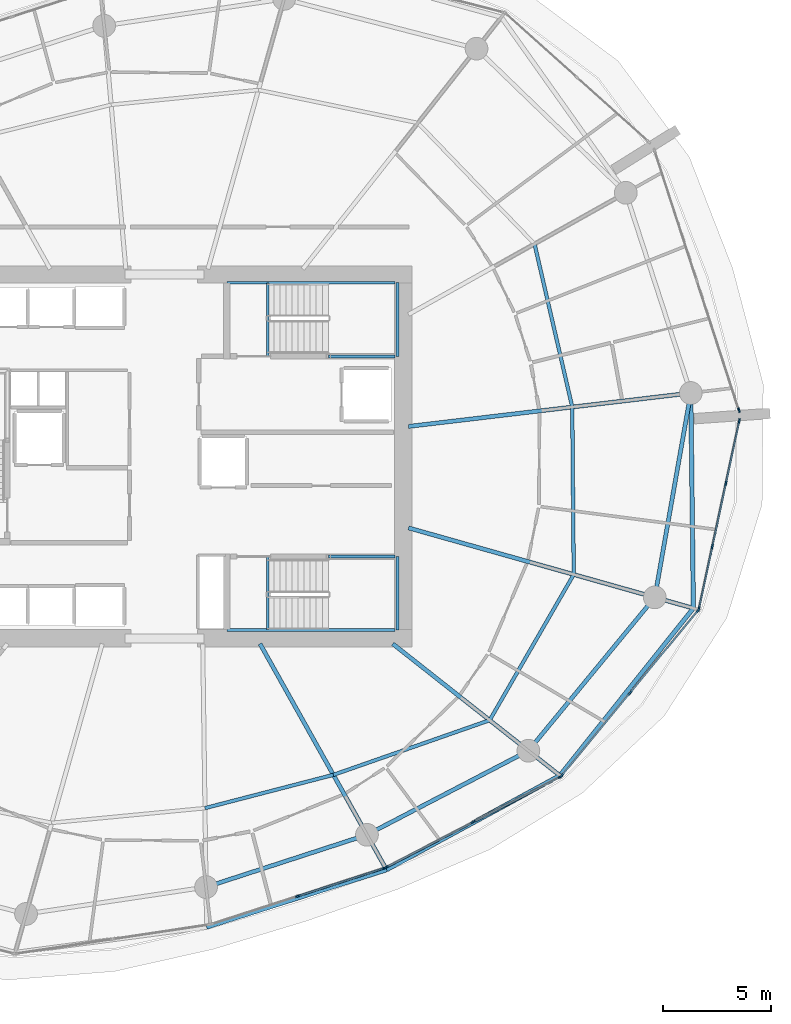
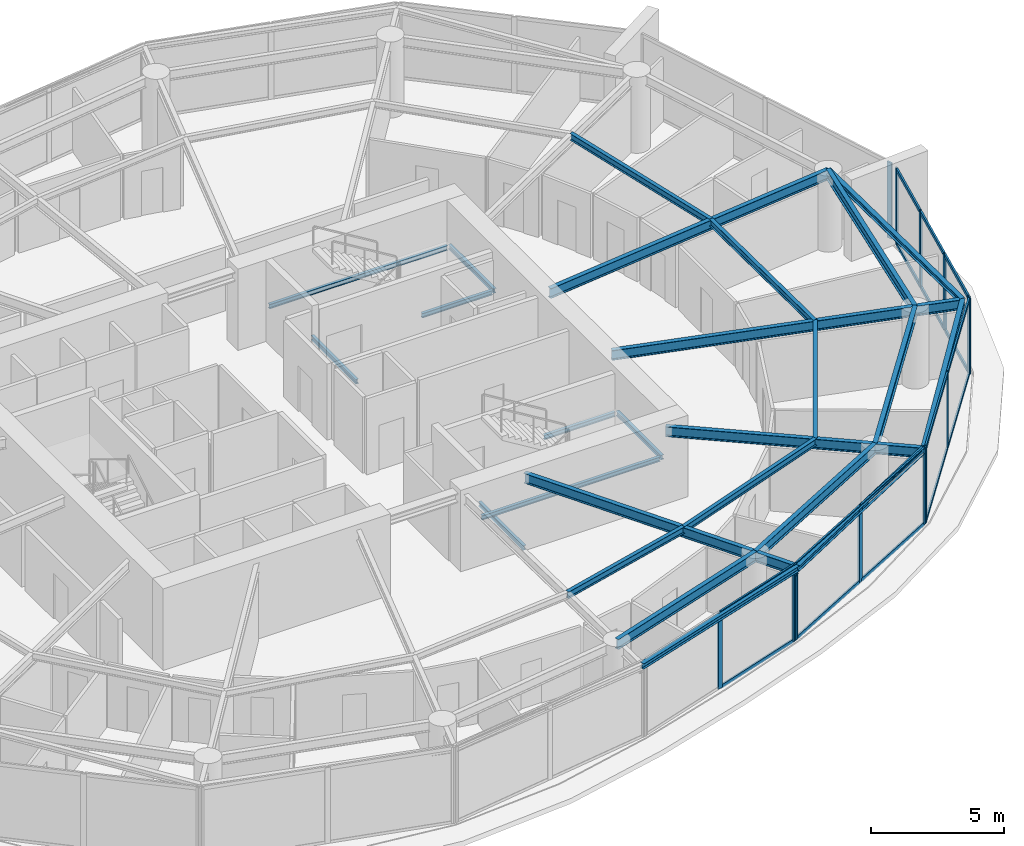
# One storey, part 7 of 17: 29 members, 25 beams, 5 elements without a shape of their own.
"""IFC4 building model written with IfcOpenShell, lengths in metres."""

from ifc_helpers import new_model, si_unit, direction, frame, origin, origin_2d, place, context, subcontext, project, spatial, rectangle, i_section, extrude, material, layer, layer_set, material_profile, profile_set, type_object, element, aggregate, save


model = new_model("IFC4")

# Units and contexts
model_context = context("Model", 3, precision=1e-05, world=origin(), true_north=direction((0.0, 1.0)))
body_context = subcontext(model_context, "Body", "Model", "MODEL_VIEW")
ifc_project = project(units=[si_unit("LENGTHUNIT", "METRE"), si_unit("AREAUNIT", "SQUARE_METRE"), si_unit("VOLUMEUNIT", "CUBIC_METRE"), si_unit("PLANEANGLEUNIT", "RADIAN"), si_unit("MASSUNIT", "GRAM", prefix="KILO")], contexts=[model_context])

# Site, building, storey
site_placement = place(None, origin())
site = spatial("IfcSite", under=ifc_project, at=site_placement, CompositionType="ELEMENT")
building_placement = place(site_placement, origin())
building = spatial("IfcBuilding", under=site, at=building_placement, Name="Kazma Halo Residences", CompositionType="ELEMENT")
storey_placement = place(building_placement, frame((0.0, 0.0, 127.800048828125)))
storey = spatial("IfcBuildingStorey", under=building, at=storey_placement, Name="L31", CompositionType="ELEMENT", Elevation=127.800048828125)

# Beams
ifc_material_1 = material(Name="Steel S355", Category="steel")
ifc_material_profile_1 = material_profile(ifc_material_1, i_section(OverallWidth=0.201904296875, OverallDepth=0.2470703125, WebThickness=0.00732421875, FlangeThickness=0.010986328125, FilletRadius=0.011962890625, at=origin_2d()), Name="W250x49.1")
ifc_profile_set_1 = profile_set([ifc_material_profile_1], Name="Steel S355")
beam_type_1 = type_object("IfcBeamType", Name="BM-BAL-CANT", PredefinedType="BEAM", material=ifc_profile_set_1)
beam_1_placement = place(storey_placement, frame((50.37841796875, 20.269287109375, 3.37646484375), z_axis=(0.952724066304, 0.303836886315, 0.0), x_axis=(-0.303836886315, 0.952724066304, 0.0)))
element("IfcBeam", 1, at=beam_1_placement, inside=storey, type_object=beam_type_1, Name="L31 wave-balcony tie beam 12", PredefinedType="BEAM", context=body_context, shape_type="SweptSolid", body=[
    extrude(i_section(OverallWidth=0.201904296875, OverallDepth=0.2470703125, WebThickness=0.00732421875, FlangeThickness=0.010986328125, FilletRadius=0.011962890625, at=origin_2d()), origin(), (0.0, 0.0, 1.0), 8.719970703125),
])
beam_2_placement = place(storey_placement, frame((58.68603515625, 22.918701171875, 3.37646484375), z_axis=(0.878572913315, 0.477608245312, 0.0), x_axis=(-0.477608245312, 0.878572913315, 0.0)))
element("IfcBeam", 2, at=beam_2_placement, inside=storey, type_object=beam_type_1, Name="L31 wave-balcony tie beam 13", PredefinedType="BEAM", context=body_context, shape_type="SweptSolid", body=[
    extrude(i_section(OverallWidth=0.201904296875, OverallDepth=0.2470703125, WebThickness=0.00732421875, FlangeThickness=0.010986328125, FilletRadius=0.011962890625, at=origin_2d()), origin(), (0.0, 0.0, 1.0), 9.107177734375),
])
beam_3_placement = place(storey_placement, frame((66.687255859375, 27.268310546875, 3.37646484375), z_axis=(0.623742400336, 0.781629975131, 0.0), x_axis=(-0.781629975131, 0.623742400336, 0.0)))
element("IfcBeam", 3, at=beam_3_placement, inside=storey, type_object=beam_type_1, Name="L31 wave-balcony tie beam 14", PredefinedType="BEAM", context=body_context, shape_type="SweptSolid", body=[
    extrude(i_section(OverallWidth=0.201904296875, OverallDepth=0.2470703125, WebThickness=0.00732421875, FlangeThickness=0.010986328125, FilletRadius=0.011962890625, at=origin_2d()), origin(), (0.0, 0.0, 1.0), 9.880859375),
])
beam_4_placement = place(storey_placement, frame((72.850341796875, 34.991455078125, 3.37646484375), z_axis=(-0.011793371143, 0.99993045578, 0.0), x_axis=(-0.99993045578, -0.011793371143, 0.0)))
element("IfcBeam", 4, at=beam_4_placement, inside=storey, type_object=beam_type_1, Name="L31 wave-balcony tie beam 15", PredefinedType="BEAM", context=body_context, shape_type="SweptSolid", body=[
    extrude(i_section(OverallWidth=0.201904296875, OverallDepth=0.2470703125, WebThickness=0.00732421875, FlangeThickness=0.010986328125, FilletRadius=0.011962890625, at=origin_2d()), origin(), (0.0, 0.0, 1.0), 9.936767578125),
])
ifc_material_profile_2 = material_profile(ifc_material_1, i_section(OverallWidth=0.18994140625, OverallDepth=0.45703125, WebThickness=0.009033203125, FlangeThickness=0.014404296875, FilletRadius=0.01611328125, at=origin_2d()), Name="W460x74")
ifc_profile_set_2 = profile_set([ifc_material_profile_2], Name="Steel S355")
beam_type_2 = type_object("IfcBeamType", Name="BM-RAD-W460", PredefinedType="BEAM", material=ifc_profile_set_2)
beam_5_placement = place(storey_placement, frame((52.84423828125, 33.35009765625, 3.271484375), z_axis=(0.488617048735, -0.872498355119, 0.0), x_axis=(0.872498355119, 0.488617048735, 0.0)))
element("IfcBeam", 5, at=beam_5_placement, inside=storey, type_object=beam_type_2, Name="L31 radial floor beam 13", PredefinedType="BEAM", context=body_context, shape_type="SweptSolid", body=[
    extrude(i_section(OverallWidth=0.18994140625, OverallDepth=0.45703125, WebThickness=0.009033203125, FlangeThickness=0.014404296875, FilletRadius=0.01611328125, at=origin_2d()), origin(), (0.0, 0.0, 1.0), 11.955810546875),
])
beam_6_placement = place(storey_placement, frame((58.972412109375, 33.35009765625, 3.271484375), z_axis=(0.785322142498, -0.619087338347, 0.0), x_axis=(0.619087338347, 0.785322142498, 0.0)))
element("IfcBeam", 6, at=beam_6_placement, inside=storey, type_object=beam_type_2, Name="L31 radial floor beam 14", PredefinedType="BEAM", context=body_context, shape_type="SweptSolid", body=[
    extrude(i_section(OverallWidth=0.18994140625, OverallDepth=0.45703125, WebThickness=0.009033203125, FlangeThickness=0.014404296875, FilletRadius=0.01611328125, at=origin_2d()), origin(), (0.0, 0.0, 1.0), 9.82373046875),
])
beam_7_placement = place(storey_placement, frame((59.699951171875, 38.7001953125, 3.271484375), z_axis=(0.962456259321, -0.271436823024, 0.0), x_axis=(0.271436823024, 0.962456259321, 0.0)))
element("IfcBeam", 7, at=beam_7_placement, inside=storey, type_object=beam_type_2, Name="L31 radial floor beam 15", PredefinedType="BEAM", context=body_context, shape_type="SweptSolid", body=[
    extrude(i_section(OverallWidth=0.18994140625, OverallDepth=0.45703125, WebThickness=0.009033203125, FlangeThickness=0.014404296875, FilletRadius=0.01611328125, at=origin_2d()), origin(), (0.0, 0.0, 1.0), 13.663330078125),
])
beam_8_placement = place(storey_placement, frame((59.699951171875, 43.384765625, 3.271484375), z_axis=(0.993067181848, 0.117548170278, 0.0), x_axis=(-0.117548170278, 0.993067181848, 0.0)))
element("IfcBeam", 8, at=beam_8_placement, inside=storey, type_object=beam_type_2, Name="L31 radial floor beam 16", PredefinedType="BEAM", context=body_context, shape_type="SweptSolid", body=[
    extrude(i_section(OverallWidth=0.18994140625, OverallDepth=0.45703125, WebThickness=0.009033203125, FlangeThickness=0.014404296875, FilletRadius=0.01611328125, at=origin_2d()), origin(), (0.0, 0.0, 1.0), 13.124267578125),
])
ifc_material_profile_3 = material_profile(ifc_material_1, i_section(OverallWidth=0.1650390625, OverallDepth=0.31005859375, WebThickness=0.005859375, FlangeThickness=0.009765625, FilletRadius=0.011962890625, at=origin_2d()), Name="W310x38.7")
ifc_profile_set_3 = profile_set([ifc_material_profile_3], Name="Steel S355")
beam_type_3 = type_object("IfcBeamType", Name="BM-SEC-W310B", PredefinedType="JOIST", material=ifc_profile_set_3)
beam_9_placement = place(storey_placement, frame((50.303466796875, 25.76318359375, 3.344970703125), z_axis=(0.968017337658, 0.250883307524, 0.0), x_axis=(-0.250883307524, 0.968017337658, 0.0)))
element("IfcBeam", 9, at=beam_9_placement, inside=storey, type_object=beam_type_3, Name="L31 circumferential floor joist 12", PredefinedType="JOIST", context=body_context, shape_type="SweptSolid", body=[
    extrude(i_section(OverallWidth=0.1650390625, OverallDepth=0.31005859375, WebThickness=0.005859375, FlangeThickness=0.009765625, FilletRadius=0.011962890625, at=origin_2d()), origin(), (0.0, 0.0, 1.0), 6.124755859375),
])
beam_10_placement = place(storey_placement, frame((56.232421875, 27.2998046875, 3.344970703125), z_axis=(0.943956421223, 0.330070105935, 0.0), x_axis=(-0.330070105935, 0.943956421223, 0.0)))
element("IfcBeam", 10, at=beam_10_placement, inside=storey, type_object=beam_type_3, Name="L31 circumferential floor joist 13", PredefinedType="JOIST", context=body_context, shape_type="SweptSolid", body=[
    extrude(i_section(OverallWidth=0.1650390625, OverallDepth=0.31005859375, WebThickness=0.005859375, FlangeThickness=0.009765625, FilletRadius=0.011962890625, at=origin_2d()), origin(), (0.0, 0.0, 1.0), 7.642822265625),
])
beam_11_placement = place(storey_placement, frame((63.447021484375, 29.822509765625, 3.344970703125), z_axis=(0.499666203496, 0.866218035533, 0.0), x_axis=(-0.866218035533, 0.499666203496, 0.0)))
element("IfcBeam", 11, at=beam_11_placement, inside=storey, type_object=beam_type_3, Name="L31 circumferential floor joist 14", PredefinedType="JOIST", context=body_context, shape_type="SweptSolid", body=[
    extrude(i_section(OverallWidth=0.1650390625, OverallDepth=0.31005859375, WebThickness=0.005859375, FlangeThickness=0.009765625, FilletRadius=0.011962890625, at=origin_2d()), origin(), (0.0, 0.0, 1.0), 7.765380859375),
])
beam_12_placement = place(storey_placement, frame((67.3271484375, 36.549072265625, 3.344970703125), z_axis=(-0.008779348348, 0.999961460779, 0.0), x_axis=(-0.999961460779, -0.008779348348, 0.0)))
element("IfcBeam", 12, at=beam_12_placement, inside=storey, type_object=beam_type_3, Name="L31 circumferential floor joist 15", PredefinedType="JOIST", context=body_context, shape_type="SweptSolid", body=[
    extrude(i_section(OverallWidth=0.1650390625, OverallDepth=0.31005859375, WebThickness=0.005859375, FlangeThickness=0.009765625, FilletRadius=0.011962890625, at=origin_2d()), origin(), (0.0, 0.0, 1.0), 7.730712890625),
])
beam_13_placement = place(storey_placement, frame((67.25927734375, 44.279541015625, 3.344970703125), z_axis=(-0.225330067077, 0.97428248515, 0.0), x_axis=(-0.97428248515, -0.225330067077, 0.0)))
element("IfcBeam", 13, at=beam_13_placement, inside=storey, type_object=beam_type_3, Name="L31 circumferential floor joist 16", PredefinedType="JOIST", context=body_context, shape_type="SweptSolid", body=[
    extrude(i_section(OverallWidth=0.1650390625, OverallDepth=0.31005859375, WebThickness=0.005859375, FlangeThickness=0.009765625, FilletRadius=0.011962890625, at=origin_2d()), origin(), (0.0, 0.0, 1.0), 7.7294921875),
])
ifc_material_profile_4 = material_profile(ifc_material_1, i_section(OverallWidth=0.18994140625, OverallDepth=0.45703125, WebThickness=0.009033203125, FlangeThickness=0.014404296875, FilletRadius=0.01611328125, at=origin_2d()), Name="W460x74")
ifc_profile_set_4 = profile_set([ifc_material_profile_4], Name="Steel S355")
beam_type_4 = type_object("IfcBeamType", Name="BM-SPN-W460", PredefinedType="BEAM", material=ifc_profile_set_4)
beam_14_placement = place(storey_placement, frame((50.35302734375, 22.118896484375, 3.271484375), z_axis=(0.95105634578, 0.309017519167, 0.0), x_axis=(-0.309017519167, 0.95105634578, 0.0)))
element("IfcBeam", 14, at=beam_14_placement, inside=storey, type_object=beam_type_4, Name="L31 perimeter ring beam 12", PredefinedType="BEAM", context=body_context, shape_type="SweptSolid", body=[
    extrude(i_section(OverallWidth=0.18994140625, OverallDepth=0.45703125, WebThickness=0.009033203125, FlangeThickness=0.014404296875, FilletRadius=0.01611328125, at=origin_2d()), origin(), (0.0, 0.0, 1.0), 7.811279296875),
])
beam_15_placement = place(storey_placement, frame((57.781982421875, 24.53271484375, 3.271484375), z_axis=(0.886943099021, 0.461878706046, 0.0), x_axis=(-0.461878706046, 0.886943099021, 0.0)))
element("IfcBeam", 15, at=beam_15_placement, inside=storey, type_object=beam_type_4, Name="L31 perimeter ring beam 13", PredefinedType="BEAM", context=body_context, shape_type="SweptSolid", body=[
    extrude(i_section(OverallWidth=0.18994140625, OverallDepth=0.45703125, WebThickness=0.009033203125, FlangeThickness=0.014404296875, FilletRadius=0.01611328125, at=origin_2d()), origin(), (0.0, 0.0, 1.0), 8.40234375),
])
beam_16_placement = place(storey_placement, frame((65.234375, 28.41357421875, 3.271484375), z_axis=(0.636018723515, 0.771673624882, 0.0), x_axis=(-0.771673624882, 0.636018723515, 0.0)))
element("IfcBeam", 16, at=beam_16_placement, inside=storey, type_object=beam_type_4, Name="L31 perimeter ring beam 14", PredefinedType="BEAM", context=body_context, shape_type="SweptSolid", body=[
    extrude(i_section(OverallWidth=0.18994140625, OverallDepth=0.45703125, WebThickness=0.009033203125, FlangeThickness=0.014404296875, FilletRadius=0.01611328125, at=origin_2d()), origin(), (0.0, 0.0, 1.0), 9.175048828125),
])
beam_17_placement = place(storey_placement, frame((71.06982421875, 35.49365234375, 3.271484375), z_axis=(0.173637033425, 0.984809717978, 0.0), x_axis=(-0.984809717978, 0.173637033425, 0.0)))
element("IfcBeam", 17, at=beam_17_placement, inside=storey, type_object=beam_type_4, Name="L31 perimeter ring beam 15", PredefinedType="BEAM", context=body_context, shape_type="SweptSolid", body=[
    extrude(i_section(OverallWidth=0.18994140625, OverallDepth=0.45703125, WebThickness=0.009033203125, FlangeThickness=0.014404296875, FilletRadius=0.01611328125, at=origin_2d()), origin(), (0.0, 0.0, 1.0), 9.579345703125),
])
ifc_material_profile_5 = material_profile(ifc_material_1, i_section(OverallWidth=0.133056640625, OverallDepth=0.20703125, WebThickness=0.005859375, FlangeThickness=0.00830078125, FilletRadius=0.010009765625, at=origin_2d()), Name="W200x26.6")
ifc_profile_set_5 = profile_set([ifc_material_profile_5], Name="Steel S355")
beam_type_5 = type_object("IfcBeamType", Name="BM-TRIM-W200", PredefinedType="BEAM", material=ifc_profile_set_5)
for number, where, z_axis, x_axis, name in (
    (18, (53.199951171875, 46.6201171875, -0.510009765625), (0.0, 1.0, 0.0), (-1.0, 0.0, 0.0), "L31 ST-02 floor landing support beam"),
    (19, (53.199951171875, 34.0, -0.510009765625), (0.0, 1.0, 0.0), (-1.0, 0.0, 0.0), "L31 ST-03 floor landing support beam"),
):
    element("IfcBeam", number, at=place(storey_placement, frame(where, z_axis=z_axis, x_axis=x_axis)), inside=storey, type_object=beam_type_5, Name=name, PredefinedType="BEAM", context=body_context, shape_type="SweptSolid", body=[
        extrude(i_section(OverallWidth=0.133056640625, OverallDepth=0.20703125, WebThickness=0.005859375, FlangeThickness=0.00830078125, FilletRadius=0.010009765625, at=origin_2d()), origin(), (0.0, 0.0, 1.0), 3.3798828125),
    ])
beam_18_placement = place(storey_placement, frame((51.31005859375, 50.02001953125, 1.570068359375), z_axis=(1.0, 0.0, 0.0), x_axis=(0.0, 1.0, 0.0)))
element("IfcBeam", 20, at=beam_18_placement, inside=storey, type_object=beam_type_5, Name="L31 ST-02 landing north wall ledger", PredefinedType="BEAM", context=body_context, shape_type="SweptSolid", body=[
    extrude(i_section(OverallWidth=0.133056640625, OverallDepth=0.20703125, WebThickness=0.005859375, FlangeThickness=0.00830078125, FilletRadius=0.010009765625, at=origin_2d()), origin(), (0.0, 0.0, 1.0), 7.760009765625),
])
beam_19_placement = place(storey_placement, frame((56.0, 46.6201171875, 1.570068359375), z_axis=(1.0, 0.0, 0.0), x_axis=(0.0, 1.0, 0.0)))
element("IfcBeam", 21, at=beam_19_placement, inside=storey, type_object=beam_type_5, Name="L31 ST-02 landing south wall ledger", PredefinedType="BEAM", context=body_context, shape_type="SweptSolid", body=[
    extrude(i_section(OverallWidth=0.133056640625, OverallDepth=0.20703125, WebThickness=0.005859375, FlangeThickness=0.00830078125, FilletRadius=0.010009765625, at=origin_2d()), origin(), (0.0, 0.0, 1.0), 3.070068359375),
])
beam_20_placement = place(storey_placement, frame((59.18994140625, 46.6201171875, 1.570068359375), z_axis=(0.0, 1.0, 0.0), x_axis=(-1.0, 0.0, 0.0)))
element("IfcBeam", 22, at=beam_20_placement, inside=storey, type_object=beam_type_5, Name="L31 ST-02 landing end wall ledger", PredefinedType="BEAM", context=body_context, shape_type="SweptSolid", body=[
    extrude(i_section(OverallWidth=0.133056640625, OverallDepth=0.20703125, WebThickness=0.005859375, FlangeThickness=0.00830078125, FilletRadius=0.010009765625, at=origin_2d()), origin(), (0.0, 0.0, 1.0), 3.39990234375),
])
beam_21_placement = place(storey_placement, frame((51.31005859375, 33.97998046875, 1.570068359375), z_axis=(1.0, 0.0, 0.0), x_axis=(0.0, 1.0, 0.0)))
element("IfcBeam", 23, at=beam_21_placement, inside=storey, type_object=beam_type_5, Name="L31 ST-03 landing south wall ledger", PredefinedType="BEAM", context=body_context, shape_type="SweptSolid", body=[
    extrude(i_section(OverallWidth=0.133056640625, OverallDepth=0.20703125, WebThickness=0.005859375, FlangeThickness=0.00830078125, FilletRadius=0.010009765625, at=origin_2d()), origin(), (0.0, 0.0, 1.0), 7.760009765625),
])
beam_22_placement = place(storey_placement, frame((56.0, 37.3798828125, 1.570068359375), z_axis=(1.0, 0.0, 0.0), x_axis=(0.0, 1.0, 0.0)))
element("IfcBeam", 24, at=beam_22_placement, inside=storey, type_object=beam_type_5, Name="L31 ST-03 landing north wall ledger", PredefinedType="BEAM", context=body_context, shape_type="SweptSolid", body=[
    extrude(i_section(OverallWidth=0.133056640625, OverallDepth=0.20703125, WebThickness=0.005859375, FlangeThickness=0.00830078125, FilletRadius=0.010009765625, at=origin_2d()), origin(), (0.0, 0.0, 1.0), 3.070068359375),
])
beam_23_placement = place(storey_placement, frame((59.18994140625, 33.97998046875, 1.570068359375), z_axis=(0.0, 1.0, 0.0), x_axis=(-1.0, 0.0, 0.0)))
element("IfcBeam", 25, at=beam_23_placement, inside=storey, type_object=beam_type_5, Name="L31 ST-03 landing end wall ledger", PredefinedType="BEAM", context=body_context, shape_type="SweptSolid", body=[
    extrude(i_section(OverallWidth=0.133056640625, OverallDepth=0.20703125, WebThickness=0.005859375, FlangeThickness=0.00830078125, FilletRadius=0.010009765625, at=origin_2d()), origin(), (0.0, 0.0, 1.0), 3.39990234375),
])

# Curtain wall, members
ifc_material_2 = material(Name="Aluminium AW-6063 T6 and Triple-Silver Low-E Glass", Category="aluminium")
ifc_layer = layer(ifc_material_2, 0.219970703125)
ifc_layer_set = layer_set([ifc_layer], Name="Aluminium AW-6063 T6 and Triple-Silver Low-E Glass")
curtain_wall_type = type_object("IfcCurtainWallType", Name="CW-SYS-4", PredefinedType="NOTDEFINED", material=ifc_layer_set)
curtain_wall_1_placement = place(storey_placement, origin())
curtain_wall_1 = element("IfcCurtainWall", 26, at=curtain_wall_1_placement, inside=storey, type_object=curtain_wall_type, Name="L31 unitised curtain wall B12", PredefinedType="NOTDEFINED")
ifc_material_3 = material(Name="Aluminium AW-6063 T6", Category="aluminium")
ifc_material_profile_6 = material_profile(ifc_material_3, rectangle(XDim=0.074951171875, YDim=0.219970703125, at=origin_2d()), Name="CWM-75x220")
ifc_profile_set_6 = profile_set([ifc_material_profile_6], Name="Aluminium AW-6063 T6")
member_type_1 = type_object("IfcMemberType", Name="CW-SYS-4-MUL", PredefinedType="MULLION", material=ifc_profile_set_6)
member_1_placement = place(storey_placement, frame((54.594970703125, 21.703125, 0.0), z_axis=(0.0, 0.0, 1.0), x_axis=(-0.309017358807, 0.951056397884, 0.0)))
member_1 = element("IfcMember", 27, at=member_1_placement, type_object=member_type_1, Name="CWS-4 mullion 2", PredefinedType="MULLION", context=body_context, shape_type="SweptSolid", body=[
    extrude(rectangle(XDim=0.074951171875, YDim=0.219970703125, at=origin_2d()), origin(), (0.0, 0.0, 1.0), 3.5),
])
member_2_placement = place(storey_placement, frame((58.596435546875, 23.00341796875, 0.0), z_axis=(0.0, 0.0, 1.0), x_axis=(-0.309017358807, 0.951056397884, 0.0)))
member_2 = element("IfcMember", 28, at=member_2_placement, type_object=member_type_1, Name="CWS-4 mullion 3", PredefinedType="MULLION", context=body_context, shape_type="SweptSolid", body=[
    extrude(rectangle(XDim=0.074951171875, YDim=0.219970703125, at=origin_2d()), origin(), (0.0, 0.0, 1.0), 3.5),
])

curtain_wall_2_placement = place(storey_placement, origin())
curtain_wall_2 = element("IfcCurtainWall", 29, at=curtain_wall_2_placement, inside=storey, type_object=curtain_wall_type, Name="L31 unitised curtain wall B13", PredefinedType="NOTDEFINED")
member_3_placement = place(storey_placement, frame((58.66552734375, 23.0322265625, 0.0), z_axis=(0.0, 0.0, 1.0), x_axis=(-0.460837484552, 0.887484542306, 0.0)))
member_3 = element("IfcMember", 30, at=member_3_placement, type_object=member_type_1, Name="CWS-4 mullion 1", PredefinedType="MULLION", context=body_context, shape_type="SweptSolid", body=[
    extrude(rectangle(XDim=0.074951171875, YDim=0.219970703125, at=origin_2d()), origin(), (0.0, 0.0, 1.0), 3.5),
])
member_4_placement = place(storey_placement, frame((62.686767578125, 25.120361328125, 0.0), z_axis=(0.0, 0.0, 1.0), x_axis=(-0.460837484552, 0.887484542306, 0.0)))
member_4 = element("IfcMember", 31, at=member_4_placement, type_object=member_type_1, Name="CWS-4 mullion 2", PredefinedType="MULLION", context=body_context, shape_type="SweptSolid", body=[
    extrude(rectangle(XDim=0.074951171875, YDim=0.219970703125, at=origin_2d()), origin(), (0.0, 0.0, 1.0), 3.5),
])
member_5_placement = place(storey_placement, frame((66.7080078125, 27.208251953125, 0.0), z_axis=(0.0, 0.0, 1.0), x_axis=(-0.460837484552, 0.887484542306, 0.0)))
member_5 = element("IfcMember", 32, at=member_5_placement, type_object=member_type_1, Name="CWS-4 mullion 3", PredefinedType="MULLION", context=body_context, shape_type="SweptSolid", body=[
    extrude(rectangle(XDim=0.074951171875, YDim=0.219970703125, at=origin_2d()), origin(), (0.0, 0.0, 1.0), 3.5),
])

curtain_wall_3_placement = place(storey_placement, origin())
curtain_wall_3 = element("IfcCurtainWall", 33, at=curtain_wall_3_placement, inside=storey, type_object=curtain_wall_type, Name="L31 unitised curtain wall B14", PredefinedType="NOTDEFINED")
member_6_placement = place(storey_placement, frame((66.76513671875, 27.25439453125, 0.0), z_axis=(0.0, 0.0, 1.0), x_axis=(-0.771037030672, 0.636790308761, 0.0)))
member_6 = element("IfcMember", 34, at=member_6_placement, type_object=member_type_1, Name="CWS-4 mullion 1", PredefinedType="MULLION", context=body_context, shape_type="SweptSolid", body=[
    extrude(rectangle(XDim=0.074951171875, YDim=0.219970703125, at=origin_2d()), origin(), (0.0, 0.0, 1.0), 3.5),
])
member_7_placement = place(storey_placement, frame((69.919189453125, 31.07373046875, 0.0), z_axis=(0.0, 0.0, 1.0), x_axis=(-0.771037030672, 0.636790308761, 0.0)))
member_7 = element("IfcMember", 35, at=member_7_placement, type_object=member_type_1, Name="CWS-4 mullion 2", PredefinedType="MULLION", context=body_context, shape_type="SweptSolid", body=[
    extrude(rectangle(XDim=0.074951171875, YDim=0.219970703125, at=origin_2d()), origin(), (0.0, 0.0, 1.0), 3.5),
])
member_8_placement = place(storey_placement, frame((73.073486328125, 34.892822265625, 0.0), z_axis=(0.0, 0.0, 1.0), x_axis=(-0.771037030672, 0.636790308761, 0.0)))
member_8 = element("IfcMember", 36, at=member_8_placement, type_object=member_type_1, Name="CWS-4 mullion 3", PredefinedType="MULLION", context=body_context, shape_type="SweptSolid", body=[
    extrude(rectangle(XDim=0.074951171875, YDim=0.219970703125, at=origin_2d()), origin(), (0.0, 0.0, 1.0), 3.5),
])

curtain_wall_4_placement = place(storey_placement, origin())
curtain_wall_4 = element("IfcCurtainWall", 37, at=curtain_wall_4_placement, inside=storey, type_object=curtain_wall_type, Name="L31 unitised curtain wall B15", PredefinedType="NOTDEFINED")
member_9_placement = place(storey_placement, frame((73.105224609375, 34.95849609375, 0.0), z_axis=(0.0, 0.0, 1.0), x_axis=(-0.977764957684, 0.209703809037, 0.0)))
member_9 = element("IfcMember", 38, at=member_9_placement, type_object=member_type_1, Name="CWS-4 mullion 1", PredefinedType="MULLION", context=body_context, shape_type="SweptSolid", body=[
    extrude(rectangle(XDim=0.074951171875, YDim=0.219970703125, at=origin_2d()), origin(), (0.0, 0.0, 1.0), 3.5),
])
member_10_placement = place(storey_placement, frame((73.72314453125, 37.839111328125, 0.0), z_axis=(0.0, 0.0, 1.0), x_axis=(-0.977764957684, 0.209703809037, 0.0)))
member_10 = element("IfcMember", 39, at=member_10_placement, type_object=member_type_1, Name="CWS-4 mullion 2", PredefinedType="MULLION", context=body_context, shape_type="SweptSolid", body=[
    extrude(rectangle(XDim=0.074951171875, YDim=0.219970703125, at=origin_2d()), origin(), (0.0, 0.0, 1.0), 3.5),
])
member_11_placement = place(storey_placement, frame((74.3486328125, 40.75634765625, 0.0), z_axis=(0.0, 0.0, 1.0), x_axis=(-0.977764957684, 0.209703809037, 0.0)))
member_11 = element("IfcMember", 40, at=member_11_placement, type_object=member_type_1, Name="CWS-4 mullion 3", PredefinedType="MULLION", context=body_context, shape_type="SweptSolid", body=[
    extrude(rectangle(XDim=0.074951171875, YDim=0.219970703125, at=origin_2d()), origin(), (0.0, 0.0, 1.0), 3.5),
])
member_12_placement = place(storey_placement, frame((74.966552734375, 43.63671875, 0.0), z_axis=(0.0, 0.0, 1.0), x_axis=(-0.977764957684, 0.209703809037, 0.0)))
member_12 = element("IfcMember", 41, at=member_12_placement, type_object=member_type_1, Name="CWS-4 mullion 4", PredefinedType="MULLION", context=body_context, shape_type="SweptSolid", body=[
    extrude(rectangle(XDim=0.074951171875, YDim=0.219970703125, at=origin_2d()), origin(), (0.0, 0.0, 1.0), 3.5),
])

# Curtain wall, member
curtain_wall_5_placement = place(storey_placement, origin())
curtain_wall_5 = element("IfcCurtainWall", 42, at=curtain_wall_5_placement, inside=storey, type_object=curtain_wall_type, Name="L31 unitised curtain wall B16", PredefinedType="NOTDEFINED")
member_13_placement = place(storey_placement, frame((74.955810546875, 44.13427734375, 0.0), z_axis=(0.0, 0.0, 1.0), x_axis=(-0.951057547609, -0.3090138203, 0.0)))
member_13 = element("IfcMember", 43, at=member_13_placement, type_object=member_type_1, Name="CWS-4 mullion 1", PredefinedType="MULLION", context=body_context, shape_type="SweptSolid", body=[
    extrude(rectangle(XDim=0.074951171875, YDim=0.219970703125, at=origin_2d()), origin(), (0.0, 0.0, 1.0), 3.5),
])
aggregate(curtain_wall_5, [member_13])

# Member
ifc_material_profile_7 = material_profile(ifc_material_3, rectangle(XDim=0.074951171875, YDim=0.1650390625, at=origin_2d()), Name="CWT-75x165")
ifc_profile_set_7 = profile_set([ifc_material_profile_7], Name="Aluminium AW-6063 T6")
member_type_2 = type_object("IfcMemberType", Name="CW-SYS-4-TRN", PredefinedType="USERDEFINED", material=ifc_profile_set_7)
member_14_placement = place(storey_placement, frame((54.630615234375, 21.714599609375, 0.037353515625), z_axis=(0.951048828971, 0.309040652525, 0.0), x_axis=(-0.309040652525, 0.951048828971, 0.0)))
member_14 = element("IfcMember", 44, at=member_14_placement, type_object=member_type_2, Name="CWS-4 transom 2.1", ObjectType="TRANSOM", PredefinedType="USERDEFINED", context=body_context, shape_type="SweptSolid", body=[
    extrude(rectangle(XDim=0.074951171875, YDim=0.1650390625, at=origin_2d()), origin(), (0.0, 0.0, 1.0), 4.132568359375),
])

member_15_placement = place(storey_placement, frame((54.630615234375, 21.714599609375, 3.46240234375), z_axis=(0.951048828971, 0.309040652525, 0.0), x_axis=(-0.309040652525, 0.951048828971, 0.0)))
member_15 = element("IfcMember", 45, at=member_15_placement, type_object=member_type_2, Name="CWS-4 transom 2.2", ObjectType="TRANSOM", PredefinedType="USERDEFINED", context=body_context, shape_type="SweptSolid", body=[
    extrude(rectangle(XDim=0.074951171875, YDim=0.1650390625, at=origin_2d()), origin(), (0.0, 0.0, 1.0), 4.132568359375),
])

aggregate(curtain_wall_1, [member_1, member_2, member_14, member_15])

member_16_placement = place(storey_placement, frame((58.69873046875, 23.049560546875, 0.037353515625), z_axis=(0.887484872803, 0.460836848077, 0.0), x_axis=(-0.460836848077, 0.887484872803, 0.0)))
member_16 = element("IfcMember", 46, at=member_16_placement, type_object=member_type_2, Name="CWS-4 transom 1.1", ObjectType="TRANSOM", PredefinedType="USERDEFINED", context=body_context, shape_type="SweptSolid", body=[
    extrude(rectangle(XDim=0.074951171875, YDim=0.1650390625, at=origin_2d()), origin(), (0.0, 0.0, 1.0), 4.4560546875),
])

member_17_placement = place(storey_placement, frame((58.69873046875, 23.049560546875, 3.46240234375), z_axis=(0.887484872803, 0.460836848077, 0.0), x_axis=(-0.460836848077, 0.887484872803, 0.0)))
member_17 = element("IfcMember", 47, at=member_17_placement, type_object=member_type_2, Name="CWS-4 transom 1.2", ObjectType="TRANSOM", PredefinedType="USERDEFINED", context=body_context, shape_type="SweptSolid", body=[
    extrude(rectangle(XDim=0.074951171875, YDim=0.1650390625, at=origin_2d()), origin(), (0.0, 0.0, 1.0), 4.4560546875),
])

member_18_placement = place(storey_placement, frame((62.719970703125, 25.137451171875, 0.037353515625), z_axis=(0.887484872803, 0.460836848077, 0.0), x_axis=(-0.460836848077, 0.887484872803, 0.0)))
member_18 = element("IfcMember", 48, at=member_18_placement, type_object=member_type_2, Name="CWS-4 transom 2.1", ObjectType="TRANSOM", PredefinedType="USERDEFINED", context=body_context, shape_type="SweptSolid", body=[
    extrude(rectangle(XDim=0.074951171875, YDim=0.1650390625, at=origin_2d()), origin(), (0.0, 0.0, 1.0), 4.4560546875),
])

member_19_placement = place(storey_placement, frame((62.719970703125, 25.137451171875, 3.46240234375), z_axis=(0.887484872803, 0.460836848077, 0.0), x_axis=(-0.460836848077, 0.887484872803, 0.0)))
member_19 = element("IfcMember", 49, at=member_19_placement, type_object=member_type_2, Name="CWS-4 transom 2.2", ObjectType="TRANSOM", PredefinedType="USERDEFINED", context=body_context, shape_type="SweptSolid", body=[
    extrude(rectangle(XDim=0.074951171875, YDim=0.1650390625, at=origin_2d()), origin(), (0.0, 0.0, 1.0), 4.4560546875),
])

aggregate(curtain_wall_2, [member_3, member_4, member_5, member_16, member_17, member_18, member_19])

member_20_placement = place(storey_placement, frame((66.7890625, 27.283447265625, 0.037353515625), z_axis=(0.63680125548, 0.771027989777, 0.0), x_axis=(-0.771027989777, 0.63680125548, 0.0)))
member_20 = element("IfcMember", 50, at=member_20_placement, type_object=member_type_2, Name="CWS-4 transom 1.1", ObjectType="TRANSOM", PredefinedType="USERDEFINED", context=body_context, shape_type="SweptSolid", body=[
    extrude(rectangle(XDim=0.074951171875, YDim=0.1650390625, at=origin_2d()), origin(), (0.0, 0.0, 1.0), 4.878173828125),
])

member_21_placement = place(storey_placement, frame((66.7890625, 27.283447265625, 3.46240234375), z_axis=(0.63680125548, 0.771027989777, 0.0), x_axis=(-0.771027989777, 0.63680125548, 0.0)))
member_21 = element("IfcMember", 51, at=member_21_placement, type_object=member_type_2, Name="CWS-4 transom 1.2", ObjectType="TRANSOM", PredefinedType="USERDEFINED", context=body_context, shape_type="SweptSolid", body=[
    extrude(rectangle(XDim=0.074951171875, YDim=0.1650390625, at=origin_2d()), origin(), (0.0, 0.0, 1.0), 4.878173828125),
])

member_22_placement = place(storey_placement, frame((69.943115234375, 31.1025390625, 0.037353515625), z_axis=(0.636776683324, 0.771048283556, 0.0), x_axis=(-0.771048283556, 0.636776683324, 0.0)))
member_22 = element("IfcMember", 52, at=member_22_placement, type_object=member_type_2, Name="CWS-4 transom 2.1", ObjectType="TRANSOM", PredefinedType="USERDEFINED", context=body_context, shape_type="SweptSolid", body=[
    extrude(rectangle(XDim=0.074951171875, YDim=0.1650390625, at=origin_2d()), origin(), (0.0, 0.0, 1.0), 4.87841796875),
])

member_23_placement = place(storey_placement, frame((69.943115234375, 31.1025390625, 3.46240234375), z_axis=(0.636776683324, 0.771048283556, 0.0), x_axis=(-0.771048283556, 0.636776683324, 0.0)))
member_23 = element("IfcMember", 53, at=member_23_placement, type_object=member_type_2, Name="CWS-4 transom 2.2", ObjectType="TRANSOM", PredefinedType="USERDEFINED", context=body_context, shape_type="SweptSolid", body=[
    extrude(rectangle(XDim=0.074951171875, YDim=0.1650390625, at=origin_2d()), origin(), (0.0, 0.0, 1.0), 4.87841796875),
])

aggregate(curtain_wall_3, [member_6, member_7, member_8, member_20, member_21, member_22, member_23])

member_24_placement = place(storey_placement, frame((73.113037109375, 34.9951171875, 0.037353515625), z_axis=(0.209703309269, 0.977765064871, 0.0), x_axis=(-0.977765064871, 0.209703309269, 0.0)))
member_24 = element("IfcMember", 54, at=member_24_placement, type_object=member_type_2, Name="CWS-4 transom 1.1", ObjectType="TRANSOM", PredefinedType="USERDEFINED", context=body_context, shape_type="SweptSolid", body=[
    extrude(rectangle(XDim=0.074951171875, YDim=0.1650390625, at=origin_2d()), origin(), (0.0, 0.0, 1.0), 2.870849609375),
])

member_25_placement = place(storey_placement, frame((73.113037109375, 34.9951171875, 3.46240234375), z_axis=(0.209703309269, 0.977765064871, 0.0), x_axis=(-0.977765064871, 0.209703309269, 0.0)))
member_25 = element("IfcMember", 55, at=member_25_placement, type_object=member_type_2, Name="CWS-4 transom 1.2", ObjectType="TRANSOM", PredefinedType="USERDEFINED", context=body_context, shape_type="SweptSolid", body=[
    extrude(rectangle(XDim=0.074951171875, YDim=0.1650390625, at=origin_2d()), origin(), (0.0, 0.0, 1.0), 2.870849609375),
])

member_26_placement = place(storey_placement, frame((73.73095703125, 37.875732421875, 0.037353515625), z_axis=(0.209689601293, 0.977768004748, 0.0), x_axis=(-0.977768004748, 0.209689601293, 0.0)))
member_26 = element("IfcMember", 56, at=member_26_placement, type_object=member_type_2, Name="CWS-4 transom 2.1", ObjectType="TRANSOM", PredefinedType="USERDEFINED", context=body_context, shape_type="SweptSolid", body=[
    extrude(rectangle(XDim=0.074951171875, YDim=0.1650390625, at=origin_2d()), origin(), (0.0, 0.0, 1.0), 2.908447265625),
])

member_27_placement = place(storey_placement, frame((73.73095703125, 37.875732421875, 3.46240234375), z_axis=(0.209689601293, 0.977768004748, 0.0), x_axis=(-0.977768004748, 0.209689601293, 0.0)))
member_27 = element("IfcMember", 57, at=member_27_placement, type_object=member_type_2, Name="CWS-4 transom 2.2", ObjectType="TRANSOM", PredefinedType="USERDEFINED", context=body_context, shape_type="SweptSolid", body=[
    extrude(rectangle(XDim=0.074951171875, YDim=0.1650390625, at=origin_2d()), origin(), (0.0, 0.0, 1.0), 2.908447265625),
])

member_28_placement = place(storey_placement, frame((74.356689453125, 40.79296875, 0.037353515625), z_axis=(0.209703309269, 0.977765064871, 0.0), x_axis=(-0.977765064871, 0.209703309269, 0.0)))
member_28 = element("IfcMember", 58, at=member_28_placement, type_object=member_type_2, Name="CWS-4 transom 3.1", ObjectType="TRANSOM", PredefinedType="USERDEFINED", context=body_context, shape_type="SweptSolid", body=[
    extrude(rectangle(XDim=0.074951171875, YDim=0.1650390625, at=origin_2d()), origin(), (0.0, 0.0, 1.0), 2.870849609375),
])

member_29_placement = place(storey_placement, frame((74.356689453125, 40.79296875, 3.46240234375), z_axis=(0.209703309269, 0.977765064871, 0.0), x_axis=(-0.977765064871, 0.209703309269, 0.0)))
member_29 = element("IfcMember", 59, at=member_29_placement, type_object=member_type_2, Name="CWS-4 transom 3.2", ObjectType="TRANSOM", PredefinedType="USERDEFINED", context=body_context, shape_type="SweptSolid", body=[
    extrude(rectangle(XDim=0.074951171875, YDim=0.1650390625, at=origin_2d()), origin(), (0.0, 0.0, 1.0), 2.870849609375),
])

aggregate(curtain_wall_4, [member_9, member_10, member_11, member_12, member_24, member_25, member_26, member_27, member_28, member_29])

save(model, "model.ifc")
